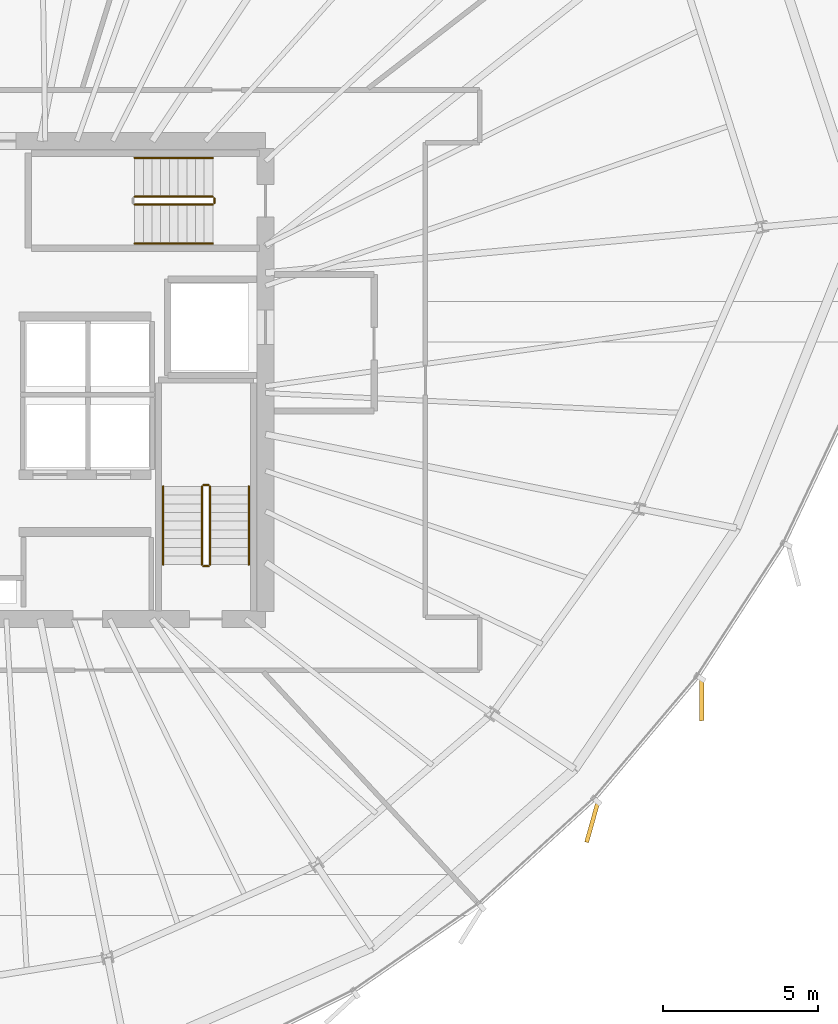
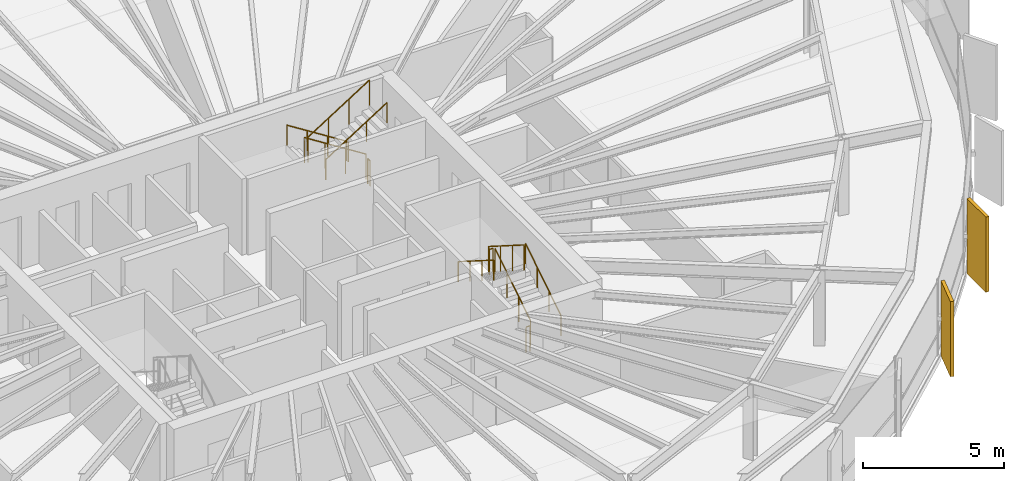
# One storey, part 31 of 32: 11 railings, 2 coverings.
"""IFC4 building model written with IfcOpenShell, lengths in metres."""

from ifc_helpers import new_model, si_unit, direction, frame, origin, origin_2d, place, context, subcontext, project, spatial, rectangle, circle, extrude, source, transform, mapped, material, layer, layer_set, type_object, element, save


model = new_model("IFC4")

# Units and contexts
model_context = context("Model", 3, precision=1e-05, world=origin(), true_north=direction((0.0, 1.0)))
body_context = subcontext(model_context, "Body", "Model", "MODEL_VIEW")
ifc_project = project(units=[si_unit("LENGTHUNIT", "METRE"), si_unit("AREAUNIT", "SQUARE_METRE"), si_unit("VOLUMEUNIT", "CUBIC_METRE"), si_unit("PLANEANGLEUNIT", "RADIAN"), si_unit("MASSUNIT", "GRAM", prefix="KILO"), si_unit("THERMODYNAMICTEMPERATUREUNIT", "KELVIN")], contexts=[model_context])

# Site, building, storey
site_placement = place(None, origin())
site = spatial("IfcSite", under=ifc_project, at=site_placement, CompositionType="ELEMENT")
building_placement = place(site_placement, origin())
building = spatial("IfcBuilding", under=site, at=building_placement, Name="Kethvar Cultural Tower", CompositionType="ELEMENT")
storey_placement = place(building_placement, frame((0.0, 0.0, 157.199951171875)))
storey = spatial("IfcBuildingStorey", under=building, at=storey_placement, Name="L40", CompositionType="ELEMENT", Elevation=157.199951171875)

# Railings
ifc_material_1 = material(Name="Steel S355J2", Category="steel")
railing_type_1 = type_object("IfcRailingType", Name="RL-STAIR-GUARD", PredefinedType="BALUSTRADE", material=ifc_material_1)
railing_1_placement = place(storey_placement, frame((53.81005859375, 21.85009765625, 0.177490234375)))
element("IfcRailing", 1, at=railing_1_placement, inside=storey, type_object=railing_type_1, Name="L40 ST-02 stair guard 1", PredefinedType="BALUSTRADE", context=body_context, shape_type="SweptSolid", body=[
    extrude(circle(Radius=0.02392578125, at=origin_2d()), frame((0.0, 0.0, 1.09619140625), z_axis=(0.0, 0.84456994832, 0.535445237532), x_axis=(-1.0, 0.0, 0.0)), (0.0, 0.0, 1.0), 2.98388671875),
    extrude(circle(Radius=0.02099609375, at=origin_2d()), origin(), (0.0, 0.0, 1.0), 1.072021484375),
    extrude(circle(Radius=0.02099609375, at=origin_2d()), frame((0.0, 0.840087890625, 0.532470703125)), (0.0, 0.0, 1.0), 1.072021484375),
    extrude(circle(Radius=0.02099609375, at=origin_2d()), frame((0.0, 1.679931640625, 1.065185546875)), (0.0, 0.0, 1.0), 1.072021484375),
    extrude(circle(Radius=0.02099609375, at=origin_2d()), frame((0.0, 2.52001953125, 1.59765625)), (0.0, 0.0, 1.0), 1.072021484375),
])
railing_2_placement = place(storey_placement, frame((53.760009765625, 24.419921875, 1.775146484375)))
element("IfcRailing", 2, at=railing_2_placement, inside=storey, type_object=railing_type_1, Name="L40 ST-02 stair guard 2", PredefinedType="BALUSTRADE", context=body_context, shape_type="SweptSolid", body=[
    extrude(circle(Radius=0.02392578125, at=origin_2d()), frame((0.0, 0.0, 1.09619140625), z_axis=(-1.0, 0.0, 0.0), x_axis=(0.0, -1.0, 0.0)), (0.0, 0.0, 1.0), 0.159912109375),
    extrude(circle(Radius=0.02099609375, at=origin_2d()), origin(), (0.0, 0.0, 1.0), 1.072021484375),
    extrude(circle(Radius=0.02099609375, at=origin_2d()), frame((-0.159912109375, 0.0, 0.0)), (0.0, 0.0, 1.0), 1.072021484375),
])
railing_3_placement = place(storey_placement, frame((53.550048828125, 24.3701171875, 1.95263671875)))
element("IfcRailing", 3, at=railing_3_placement, inside=storey, type_object=railing_type_1, Name="L40 ST-02 stair guard 3", PredefinedType="BALUSTRADE", context=body_context, shape_type="SweptSolid", body=[
    extrude(circle(Radius=0.02392578125, at=origin_2d()), frame((0.0, 0.0, 1.09619140625), z_axis=(0.0, -0.84460694969, 0.535386869969), x_axis=(1.0, 0.0, 0.0)), (0.0, 0.0, 1.0), 2.983642578125),
    extrude(circle(Radius=0.02099609375, at=origin_2d()), origin(), (0.0, 0.0, 1.0), 1.072021484375),
    extrude(circle(Radius=0.02099609375, at=origin_2d()), frame((0.0, -0.840087890625, 0.532470703125)), (0.0, 0.0, 1.0), 1.072021484375),
    extrude(circle(Radius=0.02099609375, at=origin_2d()), frame((0.0, -1.679931640625, 1.06494140625)), (0.0, 0.0, 1.0), 1.072021484375),
    extrude(circle(Radius=0.02099609375, at=origin_2d()), frame((0.0, -2.52001953125, 1.597412109375)), (0.0, 0.0, 1.0), 1.072021484375),
])
railing_4_placement = place(storey_placement, frame((53.760009765625, 21.800048828125, 0.0)))
element("IfcRailing", 4, at=railing_4_placement, inside=storey, type_object=railing_type_1, Name="L40 ST-02 stair guard 4", PredefinedType="BALUSTRADE", context=body_context, shape_type="SweptSolid", body=[
    extrude(circle(Radius=0.02392578125, at=origin_2d()), frame((0.0, 0.0, 1.09619140625), z_axis=(-1.0, 0.0, 0.0), x_axis=(0.0, -1.0, 0.0)), (0.0, 0.0, 1.0), 0.159912109375),
    extrude(circle(Radius=0.02099609375, at=origin_2d()), origin(), (0.0, 0.0, 1.0), 1.072021484375),
    extrude(circle(Radius=0.02099609375, at=origin_2d()), frame((-0.159912109375, 0.0, 0.0)), (0.0, 0.0, 1.0), 1.072021484375),
])
railing_5_placement = place(storey_placement, frame((53.89990234375, 33.7099609375, 0.177490234375)))
element("IfcRailing", 5, at=railing_5_placement, inside=storey, type_object=railing_type_1, Name="L40 ST-03 stair guard 1", PredefinedType="BALUSTRADE", context=body_context, shape_type="SweptSolid", body=[
    extrude(circle(Radius=0.02392578125, at=origin_2d()), frame((0.0, 0.0, 1.09619140625), z_axis=(-0.84456994832, 0.0, 0.535445237532), x_axis=(0.0, -1.0, 0.0)), (0.0, 0.0, 1.0), 2.98388671875),
    extrude(circle(Radius=0.02099609375, at=origin_2d()), origin(), (0.0, 0.0, 1.0), 1.072021484375),
    extrude(circle(Radius=0.02099609375, at=origin_2d()), frame((-0.840087890625, 0.0, 0.532470703125)), (0.0, 0.0, 1.0), 1.072021484375),
    extrude(circle(Radius=0.02099609375, at=origin_2d()), frame((-1.679931640625, 0.0, 1.065185546875)), (0.0, 0.0, 1.0), 1.072021484375),
    extrude(circle(Radius=0.02099609375, at=origin_2d()), frame((-2.52001953125, 0.0, 1.59765625)), (0.0, 0.0, 1.0), 1.072021484375),
])
railing_6_placement = place(storey_placement, frame((51.3798828125, 33.449951171875, 1.95263671875)))
element("IfcRailing", 6, at=railing_6_placement, inside=storey, type_object=railing_type_1, Name="L40 ST-03 stair guard 3", PredefinedType="BALUSTRADE", context=body_context, shape_type="SweptSolid", body=[
    extrude(circle(Radius=0.02392578125, at=origin_2d()), frame((0.0, 0.0, 1.09619140625), z_axis=(0.84460694969, 0.0, 0.535386869969), x_axis=(0.0, 1.0, 0.0)), (0.0, 0.0, 1.0), 2.983642578125),
    extrude(circle(Radius=0.02099609375, at=origin_2d()), origin(), (0.0, 0.0, 1.0), 1.072021484375),
    extrude(circle(Radius=0.02099609375, at=origin_2d()), frame((0.840087890625, 0.0, 0.532470703125)), (0.0, 0.0, 1.0), 1.072021484375),
    extrude(circle(Radius=0.02099609375, at=origin_2d()), frame((1.679931640625, 0.0, 1.06494140625)), (0.0, 0.0, 1.0), 1.072021484375),
    extrude(circle(Radius=0.02099609375, at=origin_2d()), frame((2.52001953125, 0.0, 1.597412109375)), (0.0, 0.0, 1.0), 1.072021484375),
])
railing_7_placement = place(storey_placement, frame((53.949951171875, 33.659912109375, 0.0)))
element("IfcRailing", 7, at=railing_7_placement, inside=storey, type_object=railing_type_1, Name="L40 ST-03 stair guard 4", PredefinedType="BALUSTRADE", context=body_context, shape_type="SweptSolid", body=[
    extrude(circle(Radius=0.02392578125, at=origin_2d()), frame((0.0, 0.0, 1.09619140625), z_axis=(0.0, -1.0, 0.0), x_axis=(1.0, 0.0, 0.0)), (0.0, 0.0, 1.0), 0.159912109375),
    extrude(circle(Radius=0.02099609375, at=origin_2d()), origin(), (0.0, 0.0, 1.0), 1.072021484375),
    extrude(circle(Radius=0.02099609375, at=origin_2d()), frame((0.0, -0.159912109375, 0.0)), (0.0, 0.0, 1.0), 1.072021484375),
])
railing_type_2 = type_object("IfcRailingType", Name="RL-STAIR-HANDRAIL", PredefinedType="HANDRAIL", material=ifc_material_1)
railing_8_placement = place(storey_placement, frame((55.06005859375, 21.85009765625, 0.177490234375)))
element("IfcRailing", 8, at=railing_8_placement, inside=storey, type_object=railing_type_2, Name="L40 ST-02 stair handrail 1", PredefinedType="HANDRAIL", context=body_context, shape_type="SweptSolid", body=[
    extrude(circle(Radius=0.02392578125, at=origin_2d()), frame((0.0, 0.0, 0.8759765625), z_axis=(0.0, 0.84456994832, 0.535445237532), x_axis=(-1.0, 0.0, 0.0)), (0.0, 0.0, 1.0), 2.98388671875),
    extrude(circle(Radius=0.02099609375, at=origin_2d()), origin(), (0.0, 0.0, 1.0), 0.851806640625),
    extrude(circle(Radius=0.02099609375, at=origin_2d()), frame((0.0, 0.840087890625, 0.532470703125)), (0.0, 0.0, 1.0), 0.851806640625),
    extrude(circle(Radius=0.02099609375, at=origin_2d()), frame((0.0, 1.679931640625, 1.065185546875)), (0.0, 0.0, 1.0), 0.851806640625),
    extrude(circle(Radius=0.02099609375, at=origin_2d()), frame((0.0, 2.52001953125, 1.59765625)), (0.0, 0.0, 1.0), 0.851806640625),
])
railing_9_placement = place(storey_placement, frame((52.300048828125, 24.3701171875, 1.95263671875)))
element("IfcRailing", 9, at=railing_9_placement, inside=storey, type_object=railing_type_2, Name="L40 ST-02 stair handrail 2", PredefinedType="HANDRAIL", context=body_context, shape_type="SweptSolid", body=[
    extrude(circle(Radius=0.02392578125, at=origin_2d()), frame((0.0, 0.0, 0.8759765625), z_axis=(0.0, -0.84460694969, 0.535386869969), x_axis=(1.0, 0.0, 0.0)), (0.0, 0.0, 1.0), 2.983642578125),
    extrude(circle(Radius=0.02099609375, at=origin_2d()), origin(), (0.0, 0.0, 1.0), 0.851806640625),
    extrude(circle(Radius=0.02099609375, at=origin_2d()), frame((0.0, -0.840087890625, 0.532470703125)), (0.0, 0.0, 1.0), 0.851806640625),
    extrude(circle(Radius=0.02099609375, at=origin_2d()), frame((0.0, -1.679931640625, 1.06494140625)), (0.0, 0.0, 1.0), 0.851806640625),
    extrude(circle(Radius=0.02099609375, at=origin_2d()), frame((0.0, -2.52001953125, 1.597412109375)), (0.0, 0.0, 1.0), 0.851806640625),
])
railing_10_placement = place(storey_placement, frame((53.89990234375, 34.9599609375, 0.177490234375)))
element("IfcRailing", 10, at=railing_10_placement, inside=storey, type_object=railing_type_2, Name="L40 ST-03 stair handrail 1", PredefinedType="HANDRAIL", context=body_context, shape_type="SweptSolid", body=[
    extrude(circle(Radius=0.02392578125, at=origin_2d()), frame((0.0, 0.0, 0.8759765625), z_axis=(-0.84456994832, 0.0, 0.535445237532), x_axis=(0.0, -1.0, 0.0)), (0.0, 0.0, 1.0), 2.98388671875),
    extrude(circle(Radius=0.02099609375, at=origin_2d()), origin(), (0.0, 0.0, 1.0), 0.851806640625),
    extrude(circle(Radius=0.02099609375, at=origin_2d()), frame((-0.840087890625, 0.0, 0.532470703125)), (0.0, 0.0, 1.0), 0.851806640625),
    extrude(circle(Radius=0.02099609375, at=origin_2d()), frame((-1.679931640625, 0.0, 1.065185546875)), (0.0, 0.0, 1.0), 0.851806640625),
    extrude(circle(Radius=0.02099609375, at=origin_2d()), frame((-2.52001953125, 0.0, 1.59765625)), (0.0, 0.0, 1.0), 0.851806640625),
])
railing_11_placement = place(storey_placement, frame((51.3798828125, 32.199951171875, 1.95263671875)))
element("IfcRailing", 11, at=railing_11_placement, inside=storey, type_object=railing_type_2, Name="L40 ST-03 stair handrail 2", PredefinedType="HANDRAIL", context=body_context, shape_type="SweptSolid", body=[
    extrude(circle(Radius=0.02392578125, at=origin_2d()), frame((0.0, 0.0, 0.8759765625), z_axis=(0.84460694969, 0.0, 0.535386869969), x_axis=(0.0, 1.0, 0.0)), (0.0, 0.0, 1.0), 2.983642578125),
    extrude(circle(Radius=0.02099609375, at=origin_2d()), origin(), (0.0, 0.0, 1.0), 0.851806640625),
    extrude(circle(Radius=0.02099609375, at=origin_2d()), frame((0.840087890625, 0.0, 0.532470703125)), (0.0, 0.0, 1.0), 0.851806640625),
    extrude(circle(Radius=0.02099609375, at=origin_2d()), frame((1.679931640625, 0.0, 1.06494140625)), (0.0, 0.0, 1.0), 0.851806640625),
    extrude(circle(Radius=0.02099609375, at=origin_2d()), frame((2.52001953125, 0.0, 1.597412109375)), (0.0, 0.0, 1.0), 0.851806640625),
])

# Coverings
ifc_material_2 = material(Name="Extruded Architectural Terracotta", Category="masonry")
ifc_layer = layer(ifc_material_2, 0.135009765625, Name="Extruded Architectural Terracotta", Category="masonry")
ifc_layer_set = layer_set([ifc_layer], Name="Extruded Architectural Terracotta (135 mm)")
covering_type = type_object("IfcCoveringType", Name="Terracotta Facade Fin FIN-02", PredefinedType="CLADDING", material=ifc_layer_set)
shared_shape = source(origin(), body_context, "Body", "SweptSolid", [
    extrude(rectangle(XDim=1.35009765625, YDim=0.135009765625, at=origin_2d()), origin(), (0.0, 0.0, 1.0), 3.260009765625),
])
for number, where, z_axis, x_axis, name in (
    (12, (66.129150390625, 13.552490234375, 0.02001953125), (0.0, 0.0, 1.0), (-0.269760236013, -0.962927523268, 0.0), "L40 Vertical Terracotta Fin 5.6"),
    (13, (69.658447265625, 17.49462890625, 0.02001953125), (0.0, 0.0, 1.0), (0.001919860998, -0.999998157065, 0.0), "L40 Vertical Terracotta Fin 6.1"),
):
    element("IfcCovering", number, at=place(storey_placement, frame(where, z_axis=z_axis, x_axis=x_axis)), inside=storey, type_object=covering_type, Name=name, PredefinedType="CLADDING", context=body_context, shape_type="MappedRepresentation", body=[
        mapped(shared_shape, transform((0.0, 0.0, 0.0), scale=1.0)),
    ])

save(model, "model.ifc")
